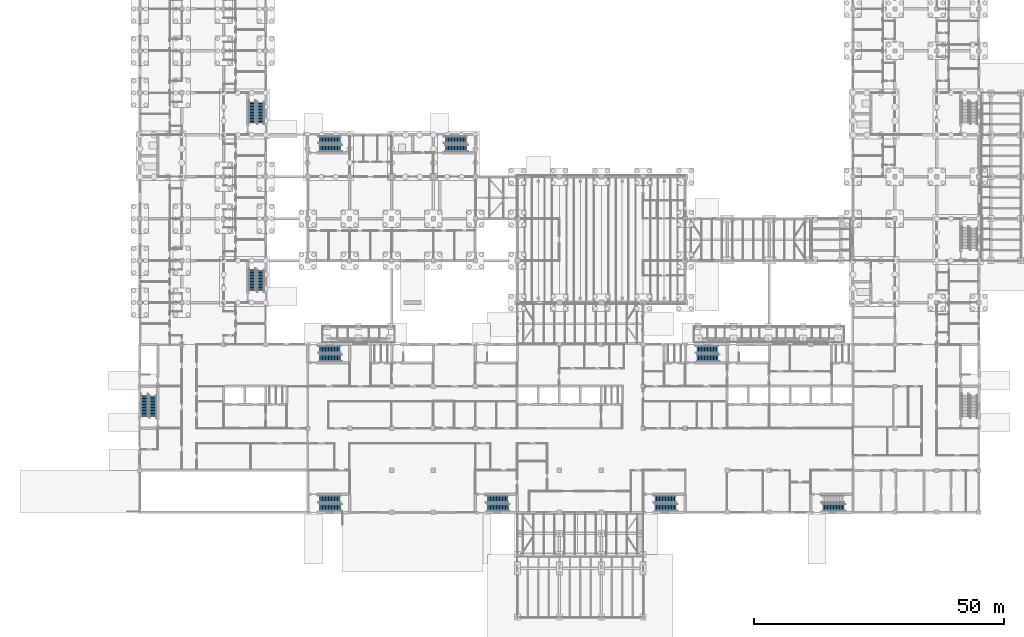
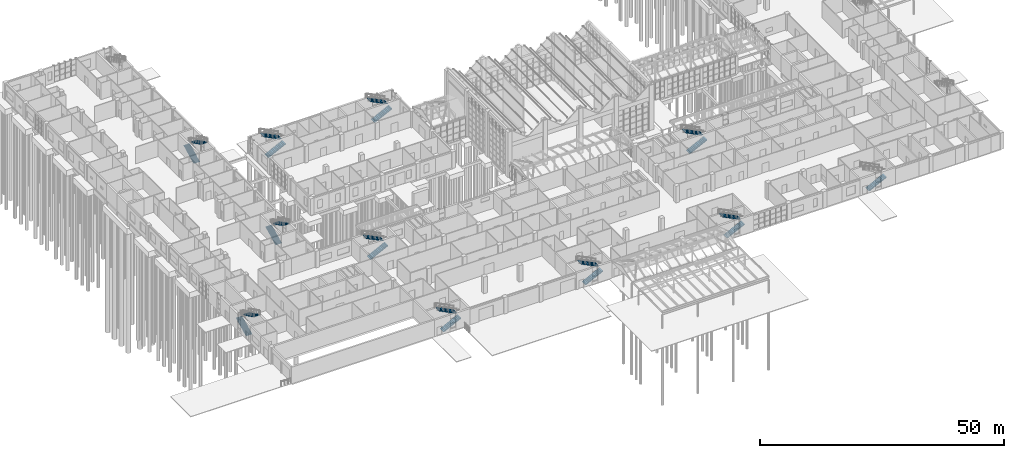
# One storey, part 124 of 138: 21 stair flights, 11 elements without a shape of their own.
"""IFC4 building model written with IfcOpenShell, lengths in metres."""

from ifc_helpers import new_model, si_unit, direction, frame, origin, place, context, subcontext, project, spatial, polyline, outline, extrude, material, type_object, element, aggregate, save


model = new_model("IFC4")

# Units and contexts
model_context = context("Model", 3, precision=1e-05, world=origin(), true_north=direction((0.0, 1.0)))
body_context = subcontext(model_context, "Body", "Model", "MODEL_VIEW")
ifc_project = project(units=[si_unit("LENGTHUNIT", "METRE"), si_unit("AREAUNIT", "SQUARE_METRE"), si_unit("VOLUMEUNIT", "CUBIC_METRE"), si_unit("PLANEANGLEUNIT", "RADIAN"), si_unit("MASSUNIT", "GRAM", prefix="KILO")], contexts=[model_context])

# Site, building, storey
site_placement = place(None, origin())
site = spatial("IfcSite", under=ifc_project, at=site_placement, CompositionType="ELEMENT")
building_placement = place(site_placement, origin())
building = spatial("IfcBuilding", under=site, at=building_placement, Name="Yavir Park General Hospital", CompositionType="ELEMENT")
storey_placement = place(building_placement, origin())
storey = spatial("IfcBuildingStorey", under=building, at=storey_placement, Name="L00", CompositionType="ELEMENT", Elevation=0.0)

# Stair, stair flights
ifc_material_1 = material(Name="Concrete C30/37", Category="concrete")
stair_type = type_object("IfcStairType", Name="Patient escape stair, 30 risers of 150 mm, 1400 mm flights", PredefinedType="HALF_TURN_STAIR", material=ifc_material_1)
stair_1_placement = place(storey_placement, origin())
stair_1 = element("IfcStair", 1, at=stair_1_placement, inside=storey, type_object=stair_type, Name="Stair SU1, L00 to L01", PredefinedType="HALF_TURN_STAIR")
ifc_material_2 = material(Name="Concrete C30/37", Category="concrete")
stair_flight_type = type_object("IfcStairFlightType", Name="Patient escape stair flight, 15 risers, 1400 mm wide", PredefinedType="STRAIGHT", material=ifc_material_2)
stair_flight_1_placement = place(storey_placement, frame((0.949951171875, 19.199951171875, 0.0), z_axis=(0.0, 0.0, 1.0), x_axis=(0.0, 1.0, 0.0)))
stair_flight_1 = element("IfcStairFlight", 2, at=stair_flight_1_placement, type_object=stair_flight_type, Name="SU1 flight 1", NumberOfRisers=15, NumberOfTreads=14, PredefinedType="STRAIGHT", RiserHeight=0.15, TreadLength=0.3, context=body_context, shape_type="SweptSolid", body=[
    extrude(outline(polyline([(0.0, 0.0), (0.0, 0.14990234375), (0.300048828125, 0.14990234375), (0.300048828125, 0.300048828125), (0.60009765625, 0.300048828125), (0.60009765625, 0.449951171875), (0.89990234375, 0.449951171875), (0.89990234375, 0.60009765625), (1.199951171875, 0.60009765625), (1.199951171875, 0.75), (1.5, 0.75), (1.5, 0.89990234375), (1.800048828125, 0.89990234375), (1.800048828125, 1.050048828125), (2.10009765625, 1.050048828125), (2.10009765625, 1.199951171875), (2.39990234375, 1.199951171875), (2.39990234375, 1.35009765625), (2.699951171875, 1.35009765625), (2.699951171875, 1.5), (3.0, 1.5), (3.0, 1.64990234375), (3.300048828125, 1.64990234375), (3.300048828125, 1.800048828125), (3.60009765625, 1.800048828125), (3.60009765625, 1.949951171875), (3.89990234375, 1.949951171875), (3.89990234375, 2.10009765625), (4.199951171875, 2.10009765625), (4.199951171875, 2.25), (4.199951171875, 1.921142578125), (0.357666015625, 0.0), (0.0, 0.0)])), frame((0.0, 0.699951171875, 0.0), z_axis=(0.0, -1.0, 0.0), x_axis=(1.0, 0.0, 0.0)), (0.0, 0.0, 1.0), 1.39990234375),
])
stair_flight_2_placement = place(storey_placement, frame((2.64990234375, 23.39990234375, 2.25), z_axis=(0.0, 0.0, 1.0), x_axis=(0.0, -1.0, 0.0)))
stair_flight_2 = element("IfcStairFlight", 3, at=stair_flight_2_placement, type_object=stair_flight_type, Name="SU1 flight 2", NumberOfRisers=15, NumberOfTreads=14, PredefinedType="STRAIGHT", RiserHeight=0.15, TreadLength=0.3, context=body_context, shape_type="SweptSolid", body=[
    extrude(outline(polyline([(0.0, 0.0), (0.0, 0.14990234375), (0.300048828125, 0.14990234375), (0.300048828125, 0.300048828125), (0.60009765625, 0.300048828125), (0.60009765625, 0.449951171875), (0.89990234375, 0.449951171875), (0.89990234375, 0.60009765625), (1.199951171875, 0.60009765625), (1.199951171875, 0.75), (1.5, 0.75), (1.5, 0.89990234375), (1.800048828125, 0.89990234375), (1.800048828125, 1.050048828125), (2.10009765625, 1.050048828125), (2.10009765625, 1.199951171875), (2.39990234375, 1.199951171875), (2.39990234375, 1.35009765625), (2.699951171875, 1.35009765625), (2.699951171875, 1.5), (3.0, 1.5), (3.0, 1.64990234375), (3.300048828125, 1.64990234375), (3.300048828125, 1.800048828125), (3.60009765625, 1.800048828125), (3.60009765625, 1.949951171875), (3.89990234375, 1.949951171875), (3.89990234375, 2.10009765625), (4.199951171875, 2.10009765625), (4.199951171875, 2.25), (4.199951171875, 1.921142578125), (0.357666015625, 0.0), (0.0, 0.0)])), frame((0.0, 0.699951171875, 0.0), z_axis=(0.0, -1.0, 0.0), x_axis=(1.0, 0.0, 0.0)), (0.0, 0.0, 1.0), 1.39990234375),
])
aggregate(stair_1, [stair_flight_1, stair_flight_2])

stair_2_placement = place(storey_placement, origin())
stair_2 = element("IfcStair", 4, at=stair_2_placement, inside=storey, type_object=stair_type, Name="Stair SU2, L00 to L01", PredefinedType="HALF_TURN_STAIR")
stair_flight_3_placement = place(storey_placement, frame((36.0, 0.949951171875, 0.0), z_axis=(0.0, 0.0, 1.0), x_axis=(1.0, 0.0, 0.0)))
stair_flight_3 = element("IfcStairFlight", 5, at=stair_flight_3_placement, type_object=stair_flight_type, Name="SU2 flight 1", NumberOfRisers=15, NumberOfTreads=14, PredefinedType="STRAIGHT", RiserHeight=0.15, TreadLength=0.3, context=body_context, shape_type="SweptSolid", body=[
    extrude(outline(polyline([(0.0, 0.0), (0.0, 0.14990234375), (0.300048828125, 0.14990234375), (0.300048828125, 0.300048828125), (0.60009765625, 0.300048828125), (0.60009765625, 0.449951171875), (0.89990234375, 0.449951171875), (0.89990234375, 0.60009765625), (1.199951171875, 0.60009765625), (1.199951171875, 0.75), (1.5, 0.75), (1.5, 0.89990234375), (1.800048828125, 0.89990234375), (1.800048828125, 1.050048828125), (2.10009765625, 1.050048828125), (2.10009765625, 1.199951171875), (2.39990234375, 1.199951171875), (2.39990234375, 1.35009765625), (2.699951171875, 1.35009765625), (2.699951171875, 1.5), (3.0, 1.5), (3.0, 1.64990234375), (3.300048828125, 1.64990234375), (3.300048828125, 1.800048828125), (3.60009765625, 1.800048828125), (3.60009765625, 1.949951171875), (3.89990234375, 1.949951171875), (3.89990234375, 2.10009765625), (4.199951171875, 2.10009765625), (4.199951171875, 2.25), (4.199951171875, 1.921142578125), (0.357666015625, 0.0), (0.0, 0.0)])), frame((0.0, 0.699951171875, 0.0), z_axis=(0.0, -1.0, 0.0), x_axis=(1.0, 0.0, 0.0)), (0.0, 0.0, 1.0), 1.39990234375),
])
stair_flight_4_placement = place(storey_placement, frame((40.199951171875, 2.64990234375, 2.25), z_axis=(0.0, 0.0, 1.0), x_axis=(-1.0, 0.0, 0.0)))
stair_flight_4 = element("IfcStairFlight", 6, at=stair_flight_4_placement, type_object=stair_flight_type, Name="SU2 flight 2", NumberOfRisers=15, NumberOfTreads=14, PredefinedType="STRAIGHT", RiserHeight=0.15, TreadLength=0.3, context=body_context, shape_type="SweptSolid", body=[
    extrude(outline(polyline([(0.0, 0.0), (0.0, 0.14990234375), (0.300048828125, 0.14990234375), (0.300048828125, 0.300048828125), (0.60009765625, 0.300048828125), (0.60009765625, 0.449951171875), (0.89990234375, 0.449951171875), (0.89990234375, 0.60009765625), (1.199951171875, 0.60009765625), (1.199951171875, 0.75), (1.5, 0.75), (1.5, 0.89990234375), (1.800048828125, 0.89990234375), (1.800048828125, 1.050048828125), (2.10009765625, 1.050048828125), (2.10009765625, 1.199951171875), (2.39990234375, 1.199951171875), (2.39990234375, 1.35009765625), (2.699951171875, 1.35009765625), (2.699951171875, 1.5), (3.0, 1.5), (3.0, 1.64990234375), (3.300048828125, 1.64990234375), (3.300048828125, 1.800048828125), (3.60009765625, 1.800048828125), (3.60009765625, 1.949951171875), (3.89990234375, 1.949951171875), (3.89990234375, 2.10009765625), (4.199951171875, 2.10009765625), (4.199951171875, 2.25), (4.199951171875, 1.921142578125), (0.357666015625, 0.0), (0.0, 0.0)])), frame((0.0, 0.699951171875, 0.0), z_axis=(0.0, -1.0, 0.0), x_axis=(1.0, 0.0, 0.0)), (0.0, 0.0, 1.0), 1.39990234375),
])
aggregate(stair_2, [stair_flight_3, stair_flight_4])

stair_3_placement = place(storey_placement, origin())
stair_3 = element("IfcStair", 7, at=stair_3_placement, inside=storey, type_object=stair_type, Name="Stair SU3, L00 to L01", PredefinedType="HALF_TURN_STAIR")
stair_flight_5_placement = place(storey_placement, frame((69.60009765625, 0.949951171875, 0.0), z_axis=(0.0, 0.0, 1.0), x_axis=(1.0, 0.0, 0.0)))
stair_flight_5 = element("IfcStairFlight", 8, at=stair_flight_5_placement, type_object=stair_flight_type, Name="SU3 flight 1", NumberOfRisers=15, NumberOfTreads=14, PredefinedType="STRAIGHT", RiserHeight=0.15, TreadLength=0.3, context=body_context, shape_type="SweptSolid", body=[
    extrude(outline(polyline([(0.0, 0.0), (0.0, 0.14990234375), (0.300048828125, 0.14990234375), (0.300048828125, 0.300048828125), (0.60009765625, 0.300048828125), (0.60009765625, 0.449951171875), (0.89990234375, 0.449951171875), (0.89990234375, 0.60009765625), (1.199951171875, 0.60009765625), (1.199951171875, 0.75), (1.5, 0.75), (1.5, 0.89990234375), (1.800048828125, 0.89990234375), (1.800048828125, 1.050048828125), (2.10009765625, 1.050048828125), (2.10009765625, 1.199951171875), (2.39990234375, 1.199951171875), (2.39990234375, 1.35009765625), (2.699951171875, 1.35009765625), (2.699951171875, 1.5), (3.0, 1.5), (3.0, 1.64990234375), (3.300048828125, 1.64990234375), (3.300048828125, 1.800048828125), (3.60009765625, 1.800048828125), (3.60009765625, 1.949951171875), (3.89990234375, 1.949951171875), (3.89990234375, 2.10009765625), (4.199951171875, 2.10009765625), (4.199951171875, 2.25), (4.199951171875, 1.921142578125), (0.357666015625, 0.0), (0.0, 0.0)])), frame((0.0, 0.699951171875, 0.0), z_axis=(0.0, -1.0, 0.0), x_axis=(1.0, 0.0, 0.0)), (0.0, 0.0, 1.0), 1.39990234375),
])
stair_flight_6_placement = place(storey_placement, frame((73.800048828125, 2.64990234375, 2.25), z_axis=(0.0, 0.0, 1.0), x_axis=(-1.0, 0.0, 0.0)))
stair_flight_6 = element("IfcStairFlight", 9, at=stair_flight_6_placement, type_object=stair_flight_type, Name="SU3 flight 2", NumberOfRisers=15, NumberOfTreads=14, PredefinedType="STRAIGHT", RiserHeight=0.15, TreadLength=0.3, context=body_context, shape_type="SweptSolid", body=[
    extrude(outline(polyline([(0.0, 0.0), (0.0, 0.14990234375), (0.300048828125, 0.14990234375), (0.300048828125, 0.300048828125), (0.60009765625, 0.300048828125), (0.60009765625, 0.449951171875), (0.89990234375, 0.449951171875), (0.89990234375, 0.60009765625), (1.199951171875, 0.60009765625), (1.199951171875, 0.75), (1.5, 0.75), (1.5, 0.89990234375), (1.800048828125, 0.89990234375), (1.800048828125, 1.050048828125), (2.10009765625, 1.050048828125), (2.10009765625, 1.199951171875), (2.39990234375, 1.199951171875), (2.39990234375, 1.35009765625), (2.699951171875, 1.35009765625), (2.699951171875, 1.5), (3.0, 1.5), (3.0, 1.64990234375), (3.300048828125, 1.64990234375), (3.300048828125, 1.800048828125), (3.60009765625, 1.800048828125), (3.60009765625, 1.949951171875), (3.89990234375, 1.949951171875), (3.89990234375, 2.10009765625), (4.199951171875, 2.10009765625), (4.199951171875, 2.25), (4.199951171875, 1.921142578125), (0.357666015625, 0.0), (0.0, 0.0)])), frame((0.0, 0.699951171875, 0.0), z_axis=(0.0, -1.0, 0.0), x_axis=(1.0, 0.0, 0.0)), (0.0, 0.0, 1.0), 1.39990234375),
])
aggregate(stair_3, [stair_flight_5, stair_flight_6])

stair_4_placement = place(storey_placement, origin())
stair_4 = element("IfcStair", 10, at=stair_4_placement, inside=storey, type_object=stair_type, Name="Stair SU4, L00 to L01", PredefinedType="HALF_TURN_STAIR")
stair_flight_7_placement = place(storey_placement, frame((103.199951171875, 0.949951171875, 0.0), z_axis=(0.0, 0.0, 1.0), x_axis=(1.0, 0.0, 0.0)))
stair_flight_7 = element("IfcStairFlight", 11, at=stair_flight_7_placement, type_object=stair_flight_type, Name="SU4 flight 1", NumberOfRisers=15, NumberOfTreads=14, PredefinedType="STRAIGHT", RiserHeight=0.15, TreadLength=0.3, context=body_context, shape_type="SweptSolid", body=[
    extrude(outline(polyline([(0.0, 0.0), (0.0, 0.14990234375), (0.300048828125, 0.14990234375), (0.300048828125, 0.300048828125), (0.60009765625, 0.300048828125), (0.60009765625, 0.449951171875), (0.89990234375, 0.449951171875), (0.89990234375, 0.60009765625), (1.199951171875, 0.60009765625), (1.199951171875, 0.75), (1.5, 0.75), (1.5, 0.89990234375), (1.800048828125, 0.89990234375), (1.800048828125, 1.050048828125), (2.10009765625, 1.050048828125), (2.10009765625, 1.199951171875), (2.39990234375, 1.199951171875), (2.39990234375, 1.35009765625), (2.699951171875, 1.35009765625), (2.699951171875, 1.5), (3.0, 1.5), (3.0, 1.64990234375), (3.300048828125, 1.64990234375), (3.300048828125, 1.800048828125), (3.60009765625, 1.800048828125), (3.60009765625, 1.949951171875), (3.89990234375, 1.949951171875), (3.89990234375, 2.10009765625), (4.199951171875, 2.10009765625), (4.199951171875, 2.25), (4.199951171875, 1.921142578125), (0.357666015625, 0.0), (0.0, 0.0)])), frame((0.0, 0.699951171875, 0.0), z_axis=(0.0, -1.0, 0.0), x_axis=(1.0, 0.0, 0.0)), (0.0, 0.0, 1.0), 1.39990234375),
])
stair_flight_8_placement = place(storey_placement, frame((107.39990234375, 2.64990234375, 2.25), z_axis=(0.0, 0.0, 1.0), x_axis=(-1.0, 0.0, 0.0)))
stair_flight_8 = element("IfcStairFlight", 12, at=stair_flight_8_placement, type_object=stair_flight_type, Name="SU4 flight 2", NumberOfRisers=15, NumberOfTreads=14, PredefinedType="STRAIGHT", RiserHeight=0.15, TreadLength=0.3, context=body_context, shape_type="SweptSolid", body=[
    extrude(outline(polyline([(0.0, 0.0), (0.0, 0.14990234375), (0.300048828125, 0.14990234375), (0.300048828125, 0.300048828125), (0.60009765625, 0.300048828125), (0.60009765625, 0.449951171875), (0.89990234375, 0.449951171875), (0.89990234375, 0.60009765625), (1.199951171875, 0.60009765625), (1.199951171875, 0.75), (1.5, 0.75), (1.5, 0.89990234375), (1.800048828125, 0.89990234375), (1.800048828125, 1.050048828125), (2.10009765625, 1.050048828125), (2.10009765625, 1.199951171875), (2.39990234375, 1.199951171875), (2.39990234375, 1.35009765625), (2.699951171875, 1.35009765625), (2.699951171875, 1.5), (3.0, 1.5), (3.0, 1.64990234375), (3.300048828125, 1.64990234375), (3.300048828125, 1.800048828125), (3.60009765625, 1.800048828125), (3.60009765625, 1.949951171875), (3.89990234375, 1.949951171875), (3.89990234375, 2.10009765625), (4.199951171875, 2.10009765625), (4.199951171875, 2.25), (4.199951171875, 1.921142578125), (0.357666015625, 0.0), (0.0, 0.0)])), frame((0.0, 0.699951171875, 0.0), z_axis=(0.0, -1.0, 0.0), x_axis=(1.0, 0.0, 0.0)), (0.0, 0.0, 1.0), 1.39990234375),
])
aggregate(stair_4, [stair_flight_7, stair_flight_8])

# Stair, stair flight
stair_5_placement = place(storey_placement, origin())
stair_5 = element("IfcStair", 13, at=stair_5_placement, inside=storey, type_object=stair_type, Name="Stair SU5, L00 to L01", PredefinedType="HALF_TURN_STAIR")
stair_flight_9_placement = place(storey_placement, frame((136.800048828125, 0.949951171875, 0.0), z_axis=(0.0, 0.0, 1.0), x_axis=(1.0, 0.0, 0.0)))
stair_flight_9 = element("IfcStairFlight", 14, at=stair_flight_9_placement, type_object=stair_flight_type, Name="SU5 flight 1", NumberOfRisers=15, NumberOfTreads=14, PredefinedType="STRAIGHT", RiserHeight=0.15, TreadLength=0.3, context=body_context, shape_type="SweptSolid", body=[
    extrude(outline(polyline([(0.0, 0.0), (0.0, 0.14990234375), (0.300048828125, 0.14990234375), (0.300048828125, 0.300048828125), (0.60009765625, 0.300048828125), (0.60009765625, 0.449951171875), (0.89990234375, 0.449951171875), (0.89990234375, 0.60009765625), (1.199951171875, 0.60009765625), (1.199951171875, 0.75), (1.5, 0.75), (1.5, 0.89990234375), (1.800048828125, 0.89990234375), (1.800048828125, 1.050048828125), (2.10009765625, 1.050048828125), (2.10009765625, 1.199951171875), (2.39990234375, 1.199951171875), (2.39990234375, 1.35009765625), (2.699951171875, 1.35009765625), (2.699951171875, 1.5), (3.0, 1.5), (3.0, 1.64990234375), (3.300048828125, 1.64990234375), (3.300048828125, 1.800048828125), (3.60009765625, 1.800048828125), (3.60009765625, 1.949951171875), (3.89990234375, 1.949951171875), (3.89990234375, 2.10009765625), (4.199951171875, 2.10009765625), (4.199951171875, 2.25), (4.199951171875, 1.921142578125), (0.357666015625, 0.0), (0.0, 0.0)])), frame((0.0, 0.699951171875, 0.0), z_axis=(0.0, -1.0, 0.0), x_axis=(1.0, 0.0, 0.0)), (0.0, 0.0, 1.0), 1.39990234375),
])
aggregate(stair_5, [stair_flight_9])

# Stair, stair flights
stair_6_placement = place(storey_placement, origin())
stair_6 = element("IfcStair", 15, at=stair_6_placement, inside=storey, type_object=stair_type, Name="Stair PN1, L00 to L01", PredefinedType="HALF_TURN_STAIR")
stair_flight_10_placement = place(storey_placement, frame((36.0, 30.89990234375, 0.0), z_axis=(0.0, 0.0, 1.0), x_axis=(1.0, 0.0, 0.0)))
stair_flight_10 = element("IfcStairFlight", 16, at=stair_flight_10_placement, type_object=stair_flight_type, Name="PN1 flight 1", NumberOfRisers=15, NumberOfTreads=14, PredefinedType="STRAIGHT", RiserHeight=0.15, TreadLength=0.3, context=body_context, shape_type="SweptSolid", body=[
    extrude(outline(polyline([(0.0, 0.0), (0.0, 0.14990234375), (0.300048828125, 0.14990234375), (0.300048828125, 0.300048828125), (0.60009765625, 0.300048828125), (0.60009765625, 0.449951171875), (0.89990234375, 0.449951171875), (0.89990234375, 0.60009765625), (1.199951171875, 0.60009765625), (1.199951171875, 0.75), (1.5, 0.75), (1.5, 0.89990234375), (1.800048828125, 0.89990234375), (1.800048828125, 1.050048828125), (2.10009765625, 1.050048828125), (2.10009765625, 1.199951171875), (2.39990234375, 1.199951171875), (2.39990234375, 1.35009765625), (2.699951171875, 1.35009765625), (2.699951171875, 1.5), (3.0, 1.5), (3.0, 1.64990234375), (3.300048828125, 1.64990234375), (3.300048828125, 1.800048828125), (3.60009765625, 1.800048828125), (3.60009765625, 1.949951171875), (3.89990234375, 1.949951171875), (3.89990234375, 2.10009765625), (4.199951171875, 2.10009765625), (4.199951171875, 2.25), (4.199951171875, 1.921142578125), (0.357666015625, 0.0), (0.0, 0.0)])), frame((0.0, 0.699951171875, 0.0), z_axis=(0.0, -1.0, 0.0), x_axis=(1.0, 0.0, 0.0)), (0.0, 0.0, 1.0), 1.39990234375),
])
stair_flight_11_placement = place(storey_placement, frame((40.199951171875, 32.60009765625, 2.25), z_axis=(0.0, 0.0, 1.0), x_axis=(-1.0, 0.0, 0.0)))
stair_flight_11 = element("IfcStairFlight", 17, at=stair_flight_11_placement, type_object=stair_flight_type, Name="PN1 flight 2", NumberOfRisers=15, NumberOfTreads=14, PredefinedType="STRAIGHT", RiserHeight=0.15, TreadLength=0.3, context=body_context, shape_type="SweptSolid", body=[
    extrude(outline(polyline([(0.0, 0.0), (0.0, 0.14990234375), (0.300048828125, 0.14990234375), (0.300048828125, 0.300048828125), (0.60009765625, 0.300048828125), (0.60009765625, 0.449951171875), (0.89990234375, 0.449951171875), (0.89990234375, 0.60009765625), (1.199951171875, 0.60009765625), (1.199951171875, 0.75), (1.5, 0.75), (1.5, 0.89990234375), (1.800048828125, 0.89990234375), (1.800048828125, 1.050048828125), (2.10009765625, 1.050048828125), (2.10009765625, 1.199951171875), (2.39990234375, 1.199951171875), (2.39990234375, 1.35009765625), (2.699951171875, 1.35009765625), (2.699951171875, 1.5), (3.0, 1.5), (3.0, 1.64990234375), (3.300048828125, 1.64990234375), (3.300048828125, 1.800048828125), (3.60009765625, 1.800048828125), (3.60009765625, 1.949951171875), (3.89990234375, 1.949951171875), (3.89990234375, 2.10009765625), (4.199951171875, 2.10009765625), (4.199951171875, 2.25), (4.199951171875, 1.921142578125), (0.357666015625, 0.0), (0.0, 0.0)])), frame((0.0, 0.699951171875, 0.0), z_axis=(0.0, -1.0, 0.0), x_axis=(1.0, 0.0, 0.0)), (0.0, 0.0, 1.0), 1.39990234375),
])
aggregate(stair_6, [stair_flight_10, stair_flight_11])

stair_7_placement = place(storey_placement, origin())
stair_7 = element("IfcStair", 18, at=stair_7_placement, inside=storey, type_object=stair_type, Name="Stair PN2, L00 to L01", PredefinedType="HALF_TURN_STAIR")
stair_flight_12_placement = place(storey_placement, frame((111.60009765625, 30.89990234375, 0.0), z_axis=(0.0, 0.0, 1.0), x_axis=(1.0, 0.0, 0.0)))
stair_flight_12 = element("IfcStairFlight", 19, at=stair_flight_12_placement, type_object=stair_flight_type, Name="PN2 flight 1", NumberOfRisers=15, NumberOfTreads=14, PredefinedType="STRAIGHT", RiserHeight=0.15, TreadLength=0.3, context=body_context, shape_type="SweptSolid", body=[
    extrude(outline(polyline([(0.0, 0.0), (0.0, 0.14990234375), (0.300048828125, 0.14990234375), (0.300048828125, 0.300048828125), (0.60009765625, 0.300048828125), (0.60009765625, 0.449951171875), (0.89990234375, 0.449951171875), (0.89990234375, 0.60009765625), (1.199951171875, 0.60009765625), (1.199951171875, 0.75), (1.5, 0.75), (1.5, 0.89990234375), (1.800048828125, 0.89990234375), (1.800048828125, 1.050048828125), (2.10009765625, 1.050048828125), (2.10009765625, 1.199951171875), (2.39990234375, 1.199951171875), (2.39990234375, 1.35009765625), (2.699951171875, 1.35009765625), (2.699951171875, 1.5), (3.0, 1.5), (3.0, 1.64990234375), (3.300048828125, 1.64990234375), (3.300048828125, 1.800048828125), (3.60009765625, 1.800048828125), (3.60009765625, 1.949951171875), (3.89990234375, 1.949951171875), (3.89990234375, 2.10009765625), (4.199951171875, 2.10009765625), (4.199951171875, 2.25), (4.199951171875, 1.921142578125), (0.357666015625, 0.0), (0.0, 0.0)])), frame((0.0, 0.699951171875, 0.0), z_axis=(0.0, -1.0, 0.0), x_axis=(1.0, 0.0, 0.0)), (0.0, 0.0, 1.0), 1.39990234375),
])
stair_flight_13_placement = place(storey_placement, frame((115.800048828125, 32.60009765625, 2.25), z_axis=(0.0, 0.0, 1.0), x_axis=(-1.0, 0.0, 0.0)))
stair_flight_13 = element("IfcStairFlight", 20, at=stair_flight_13_placement, type_object=stair_flight_type, Name="PN2 flight 2", NumberOfRisers=15, NumberOfTreads=14, PredefinedType="STRAIGHT", RiserHeight=0.15, TreadLength=0.3, context=body_context, shape_type="SweptSolid", body=[
    extrude(outline(polyline([(0.0, 0.0), (0.0, 0.14990234375), (0.300048828125, 0.14990234375), (0.300048828125, 0.300048828125), (0.60009765625, 0.300048828125), (0.60009765625, 0.449951171875), (0.89990234375, 0.449951171875), (0.89990234375, 0.60009765625), (1.199951171875, 0.60009765625), (1.199951171875, 0.75), (1.5, 0.75), (1.5, 0.89990234375), (1.800048828125, 0.89990234375), (1.800048828125, 1.050048828125), (2.10009765625, 1.050048828125), (2.10009765625, 1.199951171875), (2.39990234375, 1.199951171875), (2.39990234375, 1.35009765625), (2.699951171875, 1.35009765625), (2.699951171875, 1.5), (3.0, 1.5), (3.0, 1.64990234375), (3.300048828125, 1.64990234375), (3.300048828125, 1.800048828125), (3.60009765625, 1.800048828125), (3.60009765625, 1.949951171875), (3.89990234375, 1.949951171875), (3.89990234375, 2.10009765625), (4.199951171875, 2.10009765625), (4.199951171875, 2.25), (4.199951171875, 1.921142578125), (0.357666015625, 0.0), (0.0, 0.0)])), frame((0.0, 0.699951171875, 0.0), z_axis=(0.0, -1.0, 0.0), x_axis=(1.0, 0.0, 0.0)), (0.0, 0.0, 1.0), 1.39990234375),
])
aggregate(stair_7, [stair_flight_12, stair_flight_13])

stair_8_placement = place(storey_placement, origin())
stair_8 = element("IfcStair", 21, at=stair_8_placement, inside=storey, type_object=stair_type, Name="Stair SW1, L00 to L01", PredefinedType="HALF_TURN_STAIR")
stair_flight_14_placement = place(storey_placement, frame((22.5, 44.39990234375, 0.0), z_axis=(0.0, 0.0, 1.0), x_axis=(0.0, 1.0, 0.0)))
stair_flight_14 = element("IfcStairFlight", 22, at=stair_flight_14_placement, type_object=stair_flight_type, Name="SW1 flight 1", NumberOfRisers=15, NumberOfTreads=14, PredefinedType="STRAIGHT", RiserHeight=0.15, TreadLength=0.3, context=body_context, shape_type="SweptSolid", body=[
    extrude(outline(polyline([(0.0, 0.0), (0.0, 0.14990234375), (0.300048828125, 0.14990234375), (0.300048828125, 0.300048828125), (0.60009765625, 0.300048828125), (0.60009765625, 0.449951171875), (0.89990234375, 0.449951171875), (0.89990234375, 0.60009765625), (1.199951171875, 0.60009765625), (1.199951171875, 0.75), (1.5, 0.75), (1.5, 0.89990234375), (1.800048828125, 0.89990234375), (1.800048828125, 1.050048828125), (2.10009765625, 1.050048828125), (2.10009765625, 1.199951171875), (2.39990234375, 1.199951171875), (2.39990234375, 1.35009765625), (2.699951171875, 1.35009765625), (2.699951171875, 1.5), (3.0, 1.5), (3.0, 1.64990234375), (3.300048828125, 1.64990234375), (3.300048828125, 1.800048828125), (3.60009765625, 1.800048828125), (3.60009765625, 1.949951171875), (3.89990234375, 1.949951171875), (3.89990234375, 2.10009765625), (4.199951171875, 2.10009765625), (4.199951171875, 2.25), (4.199951171875, 1.921142578125), (0.357666015625, 0.0), (0.0, 0.0)])), frame((0.0, 0.699951171875, 0.0), z_axis=(0.0, -1.0, 0.0), x_axis=(1.0, 0.0, 0.0)), (0.0, 0.0, 1.0), 1.39990234375),
])
stair_flight_15_placement = place(storey_placement, frame((24.199951171875, 48.60009765625, 2.25), z_axis=(0.0, 0.0, 1.0), x_axis=(0.0, -1.0, 0.0)))
stair_flight_15 = element("IfcStairFlight", 23, at=stair_flight_15_placement, type_object=stair_flight_type, Name="SW1 flight 2", NumberOfRisers=15, NumberOfTreads=14, PredefinedType="STRAIGHT", RiserHeight=0.15, TreadLength=0.3, context=body_context, shape_type="SweptSolid", body=[
    extrude(outline(polyline([(0.0, 0.0), (0.0, 0.14990234375), (0.300048828125, 0.14990234375), (0.300048828125, 0.300048828125), (0.60009765625, 0.300048828125), (0.60009765625, 0.449951171875), (0.89990234375, 0.449951171875), (0.89990234375, 0.60009765625), (1.199951171875, 0.60009765625), (1.199951171875, 0.75), (1.5, 0.75), (1.5, 0.89990234375), (1.800048828125, 0.89990234375), (1.800048828125, 1.050048828125), (2.10009765625, 1.050048828125), (2.10009765625, 1.199951171875), (2.39990234375, 1.199951171875), (2.39990234375, 1.35009765625), (2.699951171875, 1.35009765625), (2.699951171875, 1.5), (3.0, 1.5), (3.0, 1.64990234375), (3.300048828125, 1.64990234375), (3.300048828125, 1.800048828125), (3.60009765625, 1.800048828125), (3.60009765625, 1.949951171875), (3.89990234375, 1.949951171875), (3.89990234375, 2.10009765625), (4.199951171875, 2.10009765625), (4.199951171875, 2.25), (4.199951171875, 1.921142578125), (0.357666015625, 0.0), (0.0, 0.0)])), frame((0.0, 0.699951171875, 0.0), z_axis=(0.0, -1.0, 0.0), x_axis=(1.0, 0.0, 0.0)), (0.0, 0.0, 1.0), 1.39990234375),
])
aggregate(stair_8, [stair_flight_14, stair_flight_15])

stair_9_placement = place(storey_placement, origin())
stair_9 = element("IfcStair", 24, at=stair_9_placement, inside=storey, type_object=stair_type, Name="Stair SW2, L00 to L01", PredefinedType="HALF_TURN_STAIR")
stair_flight_16_placement = place(storey_placement, frame((22.5, 78.0, 0.0), z_axis=(0.0, 0.0, 1.0), x_axis=(0.0, 1.0, 0.0)))
stair_flight_16 = element("IfcStairFlight", 25, at=stair_flight_16_placement, type_object=stair_flight_type, Name="SW2 flight 1", NumberOfRisers=15, NumberOfTreads=14, PredefinedType="STRAIGHT", RiserHeight=0.15, TreadLength=0.3, context=body_context, shape_type="SweptSolid", body=[
    extrude(outline(polyline([(0.0, 0.0), (0.0, 0.14990234375), (0.300048828125, 0.14990234375), (0.300048828125, 0.300048828125), (0.60009765625, 0.300048828125), (0.60009765625, 0.449951171875), (0.89990234375, 0.449951171875), (0.89990234375, 0.60009765625), (1.199951171875, 0.60009765625), (1.199951171875, 0.75), (1.5, 0.75), (1.5, 0.89990234375), (1.800048828125, 0.89990234375), (1.800048828125, 1.050048828125), (2.10009765625, 1.050048828125), (2.10009765625, 1.199951171875), (2.39990234375, 1.199951171875), (2.39990234375, 1.35009765625), (2.699951171875, 1.35009765625), (2.699951171875, 1.5), (3.0, 1.5), (3.0, 1.64990234375), (3.300048828125, 1.64990234375), (3.300048828125, 1.800048828125), (3.60009765625, 1.800048828125), (3.60009765625, 1.949951171875), (3.89990234375, 1.949951171875), (3.89990234375, 2.10009765625), (4.199951171875, 2.10009765625), (4.199951171875, 2.25), (4.199951171875, 1.921142578125), (0.357666015625, 0.0), (0.0, 0.0)])), frame((0.0, 0.699951171875, 0.0), z_axis=(0.0, -1.0, 0.0), x_axis=(1.0, 0.0, 0.0)), (0.0, 0.0, 1.0), 1.39990234375),
])
stair_flight_17_placement = place(storey_placement, frame((24.199951171875, 82.199951171875, 2.25), z_axis=(0.0, 0.0, 1.0), x_axis=(0.0, -1.0, 0.0)))
stair_flight_17 = element("IfcStairFlight", 26, at=stair_flight_17_placement, type_object=stair_flight_type, Name="SW2 flight 2", NumberOfRisers=15, NumberOfTreads=14, PredefinedType="STRAIGHT", RiserHeight=0.15, TreadLength=0.3, context=body_context, shape_type="SweptSolid", body=[
    extrude(outline(polyline([(0.0, 0.0), (0.0, 0.14990234375), (0.300048828125, 0.14990234375), (0.300048828125, 0.300048828125), (0.60009765625, 0.300048828125), (0.60009765625, 0.449951171875), (0.89990234375, 0.449951171875), (0.89990234375, 0.60009765625), (1.199951171875, 0.60009765625), (1.199951171875, 0.75), (1.5, 0.75), (1.5, 0.89990234375), (1.800048828125, 0.89990234375), (1.800048828125, 1.050048828125), (2.10009765625, 1.050048828125), (2.10009765625, 1.199951171875), (2.39990234375, 1.199951171875), (2.39990234375, 1.35009765625), (2.699951171875, 1.35009765625), (2.699951171875, 1.5), (3.0, 1.5), (3.0, 1.64990234375), (3.300048828125, 1.64990234375), (3.300048828125, 1.800048828125), (3.60009765625, 1.800048828125), (3.60009765625, 1.949951171875), (3.89990234375, 1.949951171875), (3.89990234375, 2.10009765625), (4.199951171875, 2.10009765625), (4.199951171875, 2.25), (4.199951171875, 1.921142578125), (0.357666015625, 0.0), (0.0, 0.0)])), frame((0.0, 0.699951171875, 0.0), z_axis=(0.0, -1.0, 0.0), x_axis=(1.0, 0.0, 0.0)), (0.0, 0.0, 1.0), 1.39990234375),
])
aggregate(stair_9, [stair_flight_16, stair_flight_17])

stair_10_placement = place(storey_placement, origin())
stair_10 = element("IfcStair", 27, at=stair_10_placement, inside=storey, type_object=stair_type, Name="Stair CS1, L00 to L01", PredefinedType="HALF_TURN_STAIR")
stair_flight_18_placement = place(storey_placement, frame((36.0, 72.89990234375, 0.0), z_axis=(0.0, 0.0, 1.0), x_axis=(1.0, 0.0, 0.0)))
stair_flight_18 = element("IfcStairFlight", 28, at=stair_flight_18_placement, type_object=stair_flight_type, Name="CS1 flight 1", NumberOfRisers=15, NumberOfTreads=14, PredefinedType="STRAIGHT", RiserHeight=0.15, TreadLength=0.3, context=body_context, shape_type="SweptSolid", body=[
    extrude(outline(polyline([(0.0, 0.0), (0.0, 0.14990234375), (0.300048828125, 0.14990234375), (0.300048828125, 0.300048828125), (0.60009765625, 0.300048828125), (0.60009765625, 0.449951171875), (0.89990234375, 0.449951171875), (0.89990234375, 0.60009765625), (1.199951171875, 0.60009765625), (1.199951171875, 0.75), (1.5, 0.75), (1.5, 0.89990234375), (1.800048828125, 0.89990234375), (1.800048828125, 1.050048828125), (2.10009765625, 1.050048828125), (2.10009765625, 1.199951171875), (2.39990234375, 1.199951171875), (2.39990234375, 1.35009765625), (2.699951171875, 1.35009765625), (2.699951171875, 1.5), (3.0, 1.5), (3.0, 1.64990234375), (3.300048828125, 1.64990234375), (3.300048828125, 1.800048828125), (3.60009765625, 1.800048828125), (3.60009765625, 1.949951171875), (3.89990234375, 1.949951171875), (3.89990234375, 2.10009765625), (4.199951171875, 2.10009765625), (4.199951171875, 2.25), (4.199951171875, 1.921142578125), (0.357666015625, 0.0), (0.0, 0.0)])), frame((0.0, 0.699951171875, 0.0), z_axis=(0.0, -1.0, 0.0), x_axis=(1.0, 0.0, 0.0)), (0.0, 0.0, 1.0), 1.39990234375),
])
stair_flight_19_placement = place(storey_placement, frame((40.199951171875, 74.60009765625, 2.25), z_axis=(0.0, 0.0, 1.0), x_axis=(-1.0, 0.0, 0.0)))
stair_flight_19 = element("IfcStairFlight", 29, at=stair_flight_19_placement, type_object=stair_flight_type, Name="CS1 flight 2", NumberOfRisers=15, NumberOfTreads=14, PredefinedType="STRAIGHT", RiserHeight=0.15, TreadLength=0.3, context=body_context, shape_type="SweptSolid", body=[
    extrude(outline(polyline([(0.0, 0.0), (0.0, 0.14990234375), (0.300048828125, 0.14990234375), (0.300048828125, 0.300048828125), (0.60009765625, 0.300048828125), (0.60009765625, 0.449951171875), (0.89990234375, 0.449951171875), (0.89990234375, 0.60009765625), (1.199951171875, 0.60009765625), (1.199951171875, 0.75), (1.5, 0.75), (1.5, 0.89990234375), (1.800048828125, 0.89990234375), (1.800048828125, 1.050048828125), (2.10009765625, 1.050048828125), (2.10009765625, 1.199951171875), (2.39990234375, 1.199951171875), (2.39990234375, 1.35009765625), (2.699951171875, 1.35009765625), (2.699951171875, 1.5), (3.0, 1.5), (3.0, 1.64990234375), (3.300048828125, 1.64990234375), (3.300048828125, 1.800048828125), (3.60009765625, 1.800048828125), (3.60009765625, 1.949951171875), (3.89990234375, 1.949951171875), (3.89990234375, 2.10009765625), (4.199951171875, 2.10009765625), (4.199951171875, 2.25), (4.199951171875, 1.921142578125), (0.357666015625, 0.0), (0.0, 0.0)])), frame((0.0, 0.699951171875, 0.0), z_axis=(0.0, -1.0, 0.0), x_axis=(1.0, 0.0, 0.0)), (0.0, 0.0, 1.0), 1.39990234375),
])
aggregate(stair_10, [stair_flight_18, stair_flight_19])

stair_11_placement = place(storey_placement, origin())
stair_11 = element("IfcStair", 30, at=stair_11_placement, inside=storey, type_object=stair_type, Name="Stair CS2, L00 to L01", PredefinedType="HALF_TURN_STAIR")
stair_flight_20_placement = place(storey_placement, frame((61.199951171875, 72.89990234375, 0.0), z_axis=(0.0, 0.0, 1.0), x_axis=(1.0, 0.0, 0.0)))
stair_flight_20 = element("IfcStairFlight", 31, at=stair_flight_20_placement, type_object=stair_flight_type, Name="CS2 flight 1", NumberOfRisers=15, NumberOfTreads=14, PredefinedType="STRAIGHT", RiserHeight=0.15, TreadLength=0.3, context=body_context, shape_type="SweptSolid", body=[
    extrude(outline(polyline([(0.0, 0.0), (0.0, 0.14990234375), (0.300048828125, 0.14990234375), (0.300048828125, 0.300048828125), (0.60009765625, 0.300048828125), (0.60009765625, 0.449951171875), (0.89990234375, 0.449951171875), (0.89990234375, 0.60009765625), (1.199951171875, 0.60009765625), (1.199951171875, 0.75), (1.5, 0.75), (1.5, 0.89990234375), (1.800048828125, 0.89990234375), (1.800048828125, 1.050048828125), (2.10009765625, 1.050048828125), (2.10009765625, 1.199951171875), (2.39990234375, 1.199951171875), (2.39990234375, 1.35009765625), (2.699951171875, 1.35009765625), (2.699951171875, 1.5), (3.0, 1.5), (3.0, 1.64990234375), (3.300048828125, 1.64990234375), (3.300048828125, 1.800048828125), (3.60009765625, 1.800048828125), (3.60009765625, 1.949951171875), (3.89990234375, 1.949951171875), (3.89990234375, 2.10009765625), (4.199951171875, 2.10009765625), (4.199951171875, 2.25), (4.199951171875, 1.921142578125), (0.357666015625, 0.0), (0.0, 0.0)])), frame((0.0, 0.699951171875, 0.0), z_axis=(0.0, -1.0, 0.0), x_axis=(1.0, 0.0, 0.0)), (0.0, 0.0, 1.0), 1.39990234375),
])
stair_flight_21_placement = place(storey_placement, frame((65.39990234375, 74.60009765625, 2.25), z_axis=(0.0, 0.0, 1.0), x_axis=(-1.0, 0.0, 0.0)))
stair_flight_21 = element("IfcStairFlight", 32, at=stair_flight_21_placement, type_object=stair_flight_type, Name="CS2 flight 2", NumberOfRisers=15, NumberOfTreads=14, PredefinedType="STRAIGHT", RiserHeight=0.15, TreadLength=0.3, context=body_context, shape_type="SweptSolid", body=[
    extrude(outline(polyline([(0.0, 0.0), (0.0, 0.14990234375), (0.300048828125, 0.14990234375), (0.300048828125, 0.300048828125), (0.60009765625, 0.300048828125), (0.60009765625, 0.449951171875), (0.89990234375, 0.449951171875), (0.89990234375, 0.60009765625), (1.199951171875, 0.60009765625), (1.199951171875, 0.75), (1.5, 0.75), (1.5, 0.89990234375), (1.800048828125, 0.89990234375), (1.800048828125, 1.050048828125), (2.10009765625, 1.050048828125), (2.10009765625, 1.199951171875), (2.39990234375, 1.199951171875), (2.39990234375, 1.35009765625), (2.699951171875, 1.35009765625), (2.699951171875, 1.5), (3.0, 1.5), (3.0, 1.64990234375), (3.300048828125, 1.64990234375), (3.300048828125, 1.800048828125), (3.60009765625, 1.800048828125), (3.60009765625, 1.949951171875), (3.89990234375, 1.949951171875), (3.89990234375, 2.10009765625), (4.199951171875, 2.10009765625), (4.199951171875, 2.25), (4.199951171875, 1.921142578125), (0.357666015625, 0.0), (0.0, 0.0)])), frame((0.0, 0.699951171875, 0.0), z_axis=(0.0, -1.0, 0.0), x_axis=(1.0, 0.0, 0.0)), (0.0, 0.0, 1.0), 1.39990234375),
])
aggregate(stair_11, [stair_flight_20, stair_flight_21])

save(model, "model.ifc")
